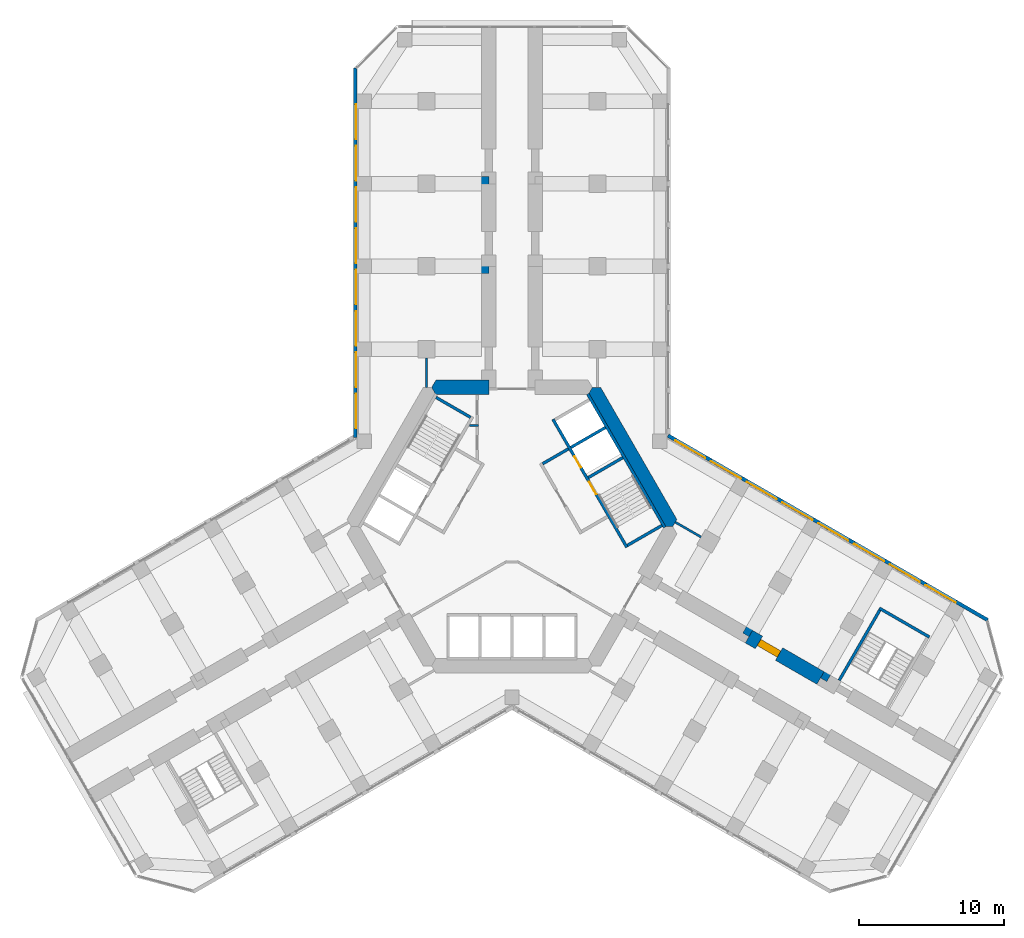
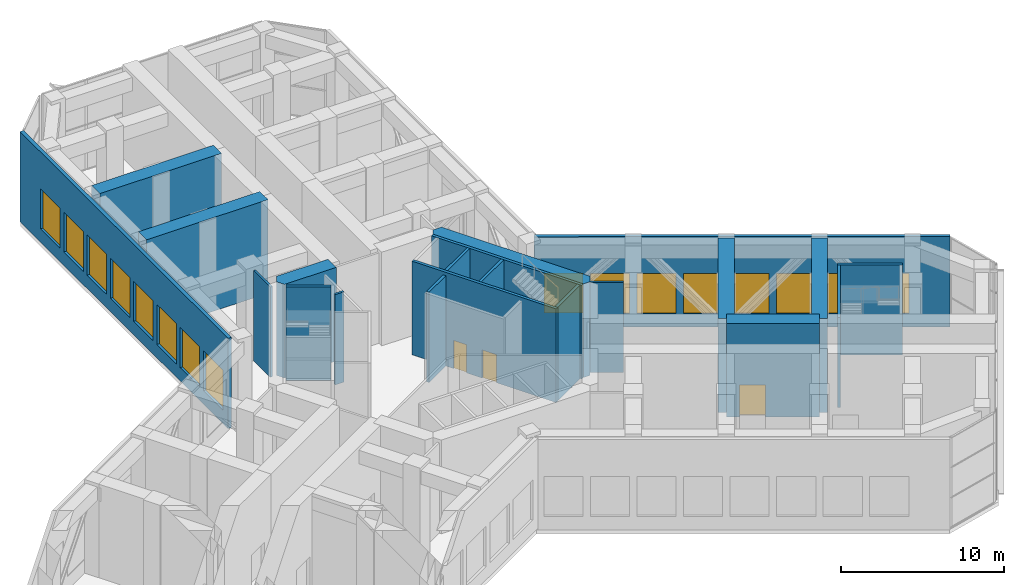
# One storey, part 13 of 17: 21 walls, 16 windows, 3 doors, 19 openings.
"""IFC4 building model written with IfcOpenShell, lengths in metres."""

import ifcopenshell
import ifcopenshell.guid

model = None  # the IFC model being written
_history = None  # IfcOwnerHistory: only IFC2X3 demands one
_inside = {}  # id of a spatial element -> (the spatial element, [elements in it])
_under = {}  # id of a project, library or spatial element -> (it, [spatial elements below it])
_declared = {}  # id of a project -> (the project, [libraries it declares])
_typed = {}  # id of a type object -> (the type object, [elements of that type])
_made_of = {}  # id of a material, layer set ... -> (it, [elements and type objects made of it])


def new_model(schema):
    """Start an empty IFC model of exactly this schema.

    Asked for "IFC4X3", IfcOpenShell would pick the latest addendum, in which some entities
    have other attributes; the version numbers below select the first issue.
    IFC2X3 requires an IfcOwnerHistory on every rooted entity: one is made here for all.
    """
    global model, _history
    if schema == "IFC4X3":
        model = ifcopenshell.file(schema_version=(4, 3, 0, 0))
    else:
        model = ifcopenshell.file(schema=schema)
    _inside.clear()
    _under.clear()
    _declared.clear()
    _typed.clear()
    _made_of.clear()
    _history = None
    if model.schema == "IFC2X3":
        org = make("IfcOrganization", Name="unknown")
        user = make(
            "IfcPersonAndOrganization",
            ThePerson=make("IfcPerson", FamilyName="unknown"),
            TheOrganization=org,
        )
        app = make(
            "IfcApplication",
            ApplicationDeveloper=org,
            Version="unknown",
            ApplicationFullName="unknown",
            ApplicationIdentifier="unknown",
        )
        _history = make(
            "IfcOwnerHistory",
            OwningUser=user,
            OwningApplication=app,
            ChangeAction="ADDED",
            CreationDate=0,
        )
    return model


def make(cls, **values):
    """One entity of the class cls with the attributes given. An attribute that is None is left unset."""
    return model.create_entity(
        cls, **{name: value for name, value in values.items() if value is not None}
    )


def rooted(cls, **values):
    """An entity with a GlobalId (a new one), such as an element, a storey or a relation."""
    return make(cls, GlobalId=ifcopenshell.guid.new(), OwnerHistory=_history, **values)


def si_unit(unit_type, name, prefix=None):
    """IfcSIUnit, for example si_unit("LENGTHUNIT", "METRE", prefix="MILLI")."""
    return make("IfcSIUnit", UnitType=unit_type, Prefix=prefix, Name=name)


def assignment(units):
    """IfcUnitAssignment: the units of a project."""
    return None if units is None else make("IfcUnitAssignment", Units=units)


def point(xyz):
    """IfcCartesianPoint."""
    return None if xyz is None else make("IfcCartesianPoint", Coordinates=xyz)


def direction(xyz):
    """IfcDirection."""
    return None if xyz is None else make("IfcDirection", DirectionRatios=xyz)


def frame(location, z_axis=None, x_axis=None):
    """IfcAxis2Placement3D, a coordinate frame: its origin and axes. An axis left out is left unset."""
    return make(
        "IfcAxis2Placement3D",
        Location=point(location),
        Axis=direction(z_axis),
        RefDirection=direction(x_axis),
    )


def frame_2d(location, x_axis=None):
    """IfcAxis2Placement2D, a coordinate frame in the plane: its origin and x axis."""
    return make(
        "IfcAxis2Placement2D", Location=point(location), RefDirection=direction(x_axis)
    )


def origin():
    """The frame at (0, 0, 0) with its axes left unset."""
    return frame((0.0, 0.0, 0.0))


def place(relative_to, where):
    """IfcLocalPlacement: puts the frame where relative to a parent placement (None: the world)."""
    return make(
        "IfcLocalPlacement", PlacementRelTo=relative_to, RelativePlacement=where
    )


def context(
    kind, dimensions, precision=None, world=None, true_north=None, identifier=None
):
    """IfcGeometricRepresentationContext, for example the 3D "Model" context."""
    return make(
        "IfcGeometricRepresentationContext",
        ContextIdentifier=identifier,
        ContextType=kind,
        CoordinateSpaceDimension=dimensions,
        Precision=precision,
        WorldCoordinateSystem=world,
        TrueNorth=true_north,
    )


def subcontext(parent, identifier, kind, view, scale=None):
    """IfcGeometricRepresentationSubContext, for example "Body" below "Model"."""
    return make(
        "IfcGeometricRepresentationSubContext",
        ContextIdentifier=identifier,
        ContextType=kind,
        ParentContext=parent,
        TargetScale=scale,
        TargetView=view,
    )


def project(units=None, contexts=None):
    """IfcProject with its units and contexts."""
    return rooted(
        "IfcProject",
        Name="project",
        RepresentationContexts=contexts,
        UnitsInContext=assignment(units),
    )


def spatial(cls, under=None, at=None, **own):
    """A site, building, storey or space (cls), placed at a placement, below another one or the project."""
    s = rooted(cls, ObjectPlacement=at, **own)
    if under is not None:
        _under.setdefault(under.id(), (under, []))[1].append(s)
    return s


def polyline(points):
    """IfcPolyline through the points."""
    return make("IfcPolyline", Points=[point(p) for p in points])


def profile(cls, at=None, kind="AREA", **sizes):
    """A parametric profile (cls). Its sizes go by their IFC names, for example OverallWidth=200.0."""
    return make(cls, ProfileType=kind, Position=at, **sizes)


def rectangle(**sizes):
    """IfcRectangleProfileDef."""
    return profile("IfcRectangleProfileDef", **sizes)


def outline(outer, holes=None, kind="AREA"):
    """IfcArbitraryClosedProfileDef: a profile drawn as a closed curve; with holes, ...WithVoids."""
    if holes is None:
        return make("IfcArbitraryClosedProfileDef", ProfileType=kind, OuterCurve=outer)
    return make(
        "IfcArbitraryProfileDefWithVoids",
        ProfileType=kind,
        OuterCurve=outer,
        InnerCurves=holes,
    )


def extrude(swept, where, along, depth):
    """IfcExtrudedAreaSolid: the profile swept, set in the frame where, extruded along a direction by depth."""
    return make(
        "IfcExtrudedAreaSolid",
        SweptArea=swept,
        Position=where,
        ExtrudedDirection=direction(along),
        Depth=depth,
    )


def shape(context_of_items, identifier, shape_type, items):
    """IfcShapeRepresentation: the items that make up one representation, for example the "Body"."""
    return make(
        "IfcShapeRepresentation",
        ContextOfItems=context_of_items,
        RepresentationIdentifier=identifier,
        RepresentationType=shape_type,
        Items=items,
    )


def material(Name=None, Category=None):
    """IfcMaterial."""
    return make("IfcMaterial", Name=Name, Category=Category)


def layer(
    of_material, thickness, ventilated=None, Name=None, Category=None, Priority=None
):
    """IfcMaterialLayer: one layer of a wall or slab, of a material (None: an air gap)."""
    return make(
        "IfcMaterialLayer",
        Material=of_material,
        LayerThickness=thickness,
        IsVentilated=ventilated,
        Name=Name,
        Category=Category,
        Priority=Priority,
    )


def layer_set(layers, Name=None):
    """IfcMaterialLayerSet."""
    return make("IfcMaterialLayerSet", MaterialLayers=layers, LayerSetName=Name)


def made_of(thing, what):
    """Note that an element or type object is made of a material, layer set ...; save() writes the relation."""
    if what is not None:
        _made_of.setdefault(what.id(), (what, []))[1].append(thing)
    return thing


def type_object(cls, material=None, **own):
    """A type object (cls), such as IfcWallType, which elements share."""
    return made_of(rooted(cls, **own), material)


def element(
    cls,
    number,
    at=None,
    inside=None,
    cuts=None,
    type_object=None,
    material=None,
    context=None,
    identifier="Body",
    shape_type=None,
    held_by="IfcProductDefinitionShape",
    body=None,
    shapes=None,
    **own,
):
    """One element of the class cls, such as IfcWall. Its Tag is "e" and its number.

    at: its placement. inside: the storey or other place that contains it. cuts: it is an
    opening in that element (IfcRelVoidsElement). A single representation is given by context,
    identifier, shape_type and body (its items); several are given by shapes. held_by: the class
    of the entity that holds the representations. save() writes the other relations.
    """
    e = rooted(cls, Tag="e%d" % number, ObjectPlacement=at, **own)
    if body is not None:
        shapes = [shape(context, identifier, shape_type, body)]
    if shapes is not None:
        e.Representation = make(held_by, Representations=shapes)
    if inside is not None:
        _inside.setdefault(inside.id(), (inside, []))[1].append(e)
    if cuts is not None:
        rooted(
            "IfcRelVoidsElement", RelatingBuildingElement=cuts, RelatedOpeningElement=e
        )
    if type_object is not None:
        _typed.setdefault(type_object.id(), (type_object, []))[1].append(e)
    return made_of(e, material)


def fill(opening, filler):
    """IfcRelFillsElement: the door or window that sits in an opening."""
    return rooted(
        "IfcRelFillsElement",
        RelatingOpeningElement=opening,
        RelatedBuildingElement=filler,
    )


def aggregate(whole, parts):
    """IfcRelAggregates: a whole, such as a stair, and the parts it consists of."""
    return rooted("IfcRelAggregates", RelatingObject=whole, RelatedObjects=parts)


def save(model, path):
    """Write the relations noted so far, then the file.

    IfcRelAggregates (storeys below a building ...), IfcRelContainedInSpatialStructure (elements
    in a storey), IfcRelDefinesByType, IfcRelAssociatesMaterial and IfcRelDeclares: one each for
    every whole, place, type object, material and project.
    """
    for whole, parts in _under.values():
        aggregate(whole, parts)
    for where, things in _inside.values():
        rooted(
            "IfcRelContainedInSpatialStructure",
            RelatedElements=things,
            RelatingStructure=where,
        )
    for kind, things in _typed.values():
        rooted("IfcRelDefinesByType", RelatedObjects=things, RelatingType=kind)
    for what, things in _made_of.values():
        rooted("IfcRelAssociatesMaterial", RelatedObjects=things, RelatingMaterial=what)
    for by, libraries in _declared.values():
        rooted("IfcRelDeclares", RelatingContext=by, RelatedDefinitions=libraries)
    model.write(path)


model = new_model("IFC4")

# Units and contexts
model_context = context("Model", 3, precision=1e-05, world=origin(), true_north=direction((0.0, 1.0)))
body_context = subcontext(model_context, "Body", "Model", "MODEL_VIEW")
ifc_project = project(units=[si_unit("LENGTHUNIT", "METRE"), si_unit("AREAUNIT", "SQUARE_METRE"), si_unit("VOLUMEUNIT", "CUBIC_METRE"), si_unit("PLANEANGLEUNIT", "RADIAN"), si_unit("MASSUNIT", "GRAM", prefix="KILO")], contexts=[model_context])

# Site, building, storey
site_placement = place(None, origin())
site = spatial("IfcSite", under=ifc_project, at=site_placement, CompositionType="ELEMENT")
building_placement = place(site_placement, origin())
building = spatial("IfcBuilding", under=site, at=building_placement, Name="Kosmar Iwan School Tower", CompositionType="ELEMENT")
storey_placement = place(building_placement, frame((0.0, 0.0, 113.199951171875)))
storey = spatial("IfcBuildingStorey", under=building, at=storey_placement, Name="L28", CompositionType="ELEMENT", Elevation=113.199951171875)

# Walls
ifc_material_1 = material(Name="Gypsum board on steel studs, fire-rated", Category="steel")
ifc_layer_1 = layer(ifc_material_1, 0.14990234375)
ifc_layer_set_1 = layer_set([ifc_layer_1], Name="Core room partition 150")
wall_type_1 = type_object("IfcWallType", Name="Core room partition 150", PredefinedType="PARTITIONING", material=ifc_layer_set_1)
wall_1_placement = place(storey_placement, frame((-2.324951171875, 6.985107421875, 0.0), z_axis=(0.0, 0.0, 1.0), x_axis=(-1.0, 0.0, 0.0)))
element("IfcWall", 1, at=wall_1_placement, inside=storey, type_object=wall_type_1, Name="Core room partition L28-CW2", PredefinedType="PARTITIONING", context=body_context, shape_type="SweptSolid", body=[
    extrude(rectangle(XDim=0.623779296875, YDim=0.14990234375, at=frame_2d((0.31201171875, 0.0))), origin(), (0.0, 0.0, 1.0), 6.75),
])
ifc_material_2 = material(Name="Concrete C50/60", Category="concrete")
ifc_layer_2 = layer(ifc_material_2, 1.0)
ifc_layer_set_2 = layer_set([ifc_layer_2], Name="Core wall 1000")
wall_type_2 = type_object("IfcWallType", Name="Core wall 1000", PredefinedType="SHEAR", material=ifc_layer_set_2)
wall_2_placement = place(storey_placement, origin())
element("IfcWall", 2, at=wall_2_placement, inside=storey, type_object=wall_type_2, Name="Core wall F030", PredefinedType="SHEAR", context=body_context, shape_type="SweptSolid", body=[
    extrude(outline(polyline([(10.5078125, 0.0), (11.085205078125, 0.0), (11.373779296875, 0.5), (6.119873046875, 9.60009765625), (5.54248046875, 9.60009765625), (5.25390625, 9.10009765625), (10.5078125, 0.0)])), origin(), (0.0, 0.0, 1.0), 7.0),
])
wall_3_placement = place(storey_placement, origin())
element("IfcWall", 3, at=wall_3_placement, inside=storey, type_object=wall_type_2, Name="Core wall F090b", PredefinedType="SHEAR", context=body_context, shape_type="SweptSolid", body=[
    extrude(outline(polyline([(-5.25390625, 9.10009765625), (-1.60009765625, 9.10009765625), (-1.60009765625, 10.10009765625), (-5.25390625, 10.10009765625), (-5.54248046875, 9.60009765625), (-5.25390625, 9.10009765625)])), origin(), (0.0, 0.0, 1.0), 7.0),
])

# Wall, opening, door
ifc_material_3 = material(Name="Concrete C50/60", Category="concrete")
ifc_layer_3 = layer(ifc_material_3, 1.0)
ifc_layer_set_3 = layer_set([ifc_layer_3], Name="Corridor buttress wall 1000")
wall_type_3 = type_object("IfcWallType", Name="Corridor buttress wall 1000", PredefinedType="SHEAR", material=ifc_layer_set_3)
wall_4_placement = place(storey_placement, frame((16.34521484375, -7.58935546875, 0.0), z_axis=(0.0, 0.0, 1.0), x_axis=(0.866015111908, -0.50001782563, 0.0)))
wall_4 = element("IfcWall", 4, at=wall_4_placement, inside=storey, type_object=wall_type_3, Name="Corridor wall CL bay 2", PredefinedType="SHEAR", context=body_context, shape_type="SweptSolid", body=[
    extrude(rectangle(XDim=5.699951171875, YDim=1.0, at=frame_2d((2.85009765625, 0.0))), origin(), (0.0, 0.0, 1.0), 7.0),
])
opening_1_placement = place(wall_4_placement, frame((0.800048828125, 0.0, 0.0)))
opening_1 = element("IfcOpeningElement", 5, at=opening_1_placement, cuts=wall_4, Name="Opening D5", PredefinedType="OPENING", context=body_context, shape_type="SweptSolid", body=[
    extrude(rectangle(XDim=1.60009765625, YDim=2.39990234375, at=frame_2d((0.800048828125, 1.199951171875))), frame((0.0, 0.511962890625, 0.0), z_axis=(0.0, -1.0, 0.0), x_axis=(1.0, 0.0, 0.0)), (0.0, 0.0, 1.0), 1.02392578125),
])
ifc_material_4 = material(Name="Steel fire door", Category="steel")
door_type_1 = type_object("IfcDoorType", Name="Plant room door pair 1600x2400", OperationType="DOUBLE_DOOR_SINGLE_SWING", PredefinedType="DOOR", material=ifc_material_4)
door_1_placement = place(opening_1_placement, origin())
door_1 = element("IfcDoor", 6, at=door_1_placement, inside=storey, type_object=door_type_1, Name="Electrical switch room door L28-CL2", OperationType="DOUBLE_DOOR_SINGLE_SWING", OverallHeight=2.39990234375, OverallWidth=1.60009765625, PredefinedType="DOOR", context=body_context, shape_type="SweptSolid", body=[
    extrude(rectangle(XDim=1.60009765625, YDim=2.39990234375, at=frame_2d((0.800048828125, 1.199951171875))), frame((0.0, 0.25, 0.0), z_axis=(0.0, -1.0, 0.0), x_axis=(1.0, 0.0, 0.0)), (0.0, 0.0, 1.0), 0.5),
])
fill(opening_1, door_1)

# Walls
ifc_material_5 = material(Name="Concrete C35/45", Category="concrete")
ifc_layer_4 = layer(ifc_material_5, 0.199951171875)
ifc_layer_set_4 = layer_set([ifc_layer_4], Name="Escape stair wall 200")
wall_type_4 = type_object("IfcWallType", Name="Escape stair wall 200", PredefinedType="SHEAR", material=ifc_layer_set_4)
wall_5_placement = place(storey_placement, frame((22.57080078125, -10.6064453125, 0.0), z_axis=(0.0, 0.0, 1.0), x_axis=(0.499987231761, 0.866032775405, 0.0)))
element("IfcWall", 7, at=wall_5_placement, inside=storey, type_object=wall_type_4, Name="Stair WS3 wall", PredefinedType="SHEAR", context=body_context, shape_type="SweptSolid", body=[
    extrude(rectangle(XDim=5.800048828125, YDim=0.199951171875, at=frame_2d((2.89990234375, 0.0))), origin(), (0.0, 0.0, 1.0), 6.72998046875),
])
wall_6_placement = place(storey_placement, frame((25.334228515625, -5.6201171875, 0.0), z_axis=(0.0, 0.0, 1.0), x_axis=(0.866026010844, -0.49999894854, 0.0)))
element("IfcWall", 8, at=wall_6_placement, inside=storey, type_object=wall_type_4, Name="Stair WS3 wall", PredefinedType="SHEAR", context=body_context, shape_type="SweptSolid", body=[
    extrude(rectangle(XDim=4.0, YDim=0.199951171875, at=frame_2d((2.0, 0.0))), origin(), (0.0, 0.0, 1.0), 6.72998046875),
])

# Wall, openings, windows
ifc_material_6 = material(Name="Black aluminium rainscreen on insulated framing", Category="aluminium")
ifc_layer_5 = layer(ifc_material_6, 0.25)
ifc_layer_set_5 = layer_set([ifc_layer_5], Name="External wall rainscreen 250")
wall_type_5 = type_object("IfcWallType", Name="External wall rainscreen 250", PredefinedType="SOLIDWALL", material=ifc_layer_set_5)
wall_7_placement = place(storey_placement, frame((10.762451171875, 6.285888671875, 0.0), z_axis=(0.0, 0.0, 1.0), x_axis=(0.866027962024, -0.499995568972, 0.0)))
wall_7 = element("IfcWall", 9, at=wall_7_placement, inside=storey, type_object=wall_type_5, Name="External wall CL L28", PredefinedType="SOLIDWALL", context=body_context, shape_type="SweptSolid", body=[
    extrude(rectangle(XDim=25.457763671875, YDim=0.25, at=frame_2d((12.72900390625, 0.0))), origin(), (0.0, 0.0, 1.0), 6.75),
])
opening_2_placement = place(wall_7_placement, frame((0.597412109375, 0.0, 1.0)))
opening_2 = element("IfcOpeningElement", 10, at=opening_2_placement, cuts=wall_7, Name="Opening LV1", PredefinedType="OPENING", context=body_context, shape_type="SweptSolid", body=[
    extrude(rectangle(XDim=2.39990234375, YDim=3.0, at=frame_2d((1.199951171875, 1.5))), frame((0.0, 0.136962890625, 0.0), z_axis=(0.0, -1.0, 0.0), x_axis=(1.0, 0.0, 0.0)), (0.0, 0.0, 1.0), 0.27392578125),
])
opening_3_placement = place(wall_7_placement, frame((3.447265625, 0.0, 1.0)))
opening_3 = element("IfcOpeningElement", 11, at=opening_3_placement, cuts=wall_7, Name="Opening LV1", PredefinedType="OPENING", context=body_context, shape_type="SweptSolid", body=[
    extrude(rectangle(XDim=2.39990234375, YDim=3.0, at=frame_2d((1.199951171875, 1.5))), frame((0.0, 0.136962890625, 0.0), z_axis=(0.0, -1.0, 0.0), x_axis=(1.0, 0.0, 0.0)), (0.0, 0.0, 1.0), 0.27392578125),
])
opening_4_placement = place(wall_7_placement, frame((6.29736328125, 0.0, 1.0)))
opening_4 = element("IfcOpeningElement", 12, at=opening_4_placement, cuts=wall_7, Name="Opening LV1", PredefinedType="OPENING", context=body_context, shape_type="SweptSolid", body=[
    extrude(rectangle(XDim=2.39990234375, YDim=3.0, at=frame_2d((1.199951171875, 1.5))), frame((0.0, 0.136962890625, 0.0), z_axis=(0.0, -1.0, 0.0), x_axis=(1.0, 0.0, 0.0)), (0.0, 0.0, 1.0), 0.27392578125),
])
opening_5_placement = place(wall_7_placement, frame((9.1474609375, 0.0, 1.0)))
opening_5 = element("IfcOpeningElement", 13, at=opening_5_placement, cuts=wall_7, Name="Opening LV1", PredefinedType="OPENING", context=body_context, shape_type="SweptSolid", body=[
    extrude(rectangle(XDim=2.39990234375, YDim=3.0, at=frame_2d((1.199951171875, 1.5))), frame((0.0, 0.136962890625, 0.0), z_axis=(0.0, -1.0, 0.0), x_axis=(1.0, 0.0, 0.0)), (0.0, 0.0, 1.0), 0.27392578125),
])
opening_6_placement = place(wall_7_placement, frame((11.997314453125, 0.0, 1.0)))
opening_6 = element("IfcOpeningElement", 14, at=opening_6_placement, cuts=wall_7, Name="Opening LV1", PredefinedType="OPENING", context=body_context, shape_type="SweptSolid", body=[
    extrude(rectangle(XDim=2.39990234375, YDim=3.0, at=frame_2d((1.199951171875, 1.5))), frame((0.0, 0.136962890625, 0.0), z_axis=(0.0, -1.0, 0.0), x_axis=(1.0, 0.0, 0.0)), (0.0, 0.0, 1.0), 0.27392578125),
])
opening_7_placement = place(wall_7_placement, frame((14.847412109375, 0.0, 1.0)))
opening_7 = element("IfcOpeningElement", 15, at=opening_7_placement, cuts=wall_7, Name="Opening LV1", PredefinedType="OPENING", context=body_context, shape_type="SweptSolid", body=[
    extrude(rectangle(XDim=2.39990234375, YDim=3.0, at=frame_2d((1.199951171875, 1.5))), frame((0.0, 0.136962890625, 0.0), z_axis=(0.0, -1.0, 0.0), x_axis=(1.0, 0.0, 0.0)), (0.0, 0.0, 1.0), 0.27392578125),
])
opening_8_placement = place(wall_7_placement, frame((17.697265625, 0.0, 1.0)))
opening_8 = element("IfcOpeningElement", 16, at=opening_8_placement, cuts=wall_7, Name="Opening LV1", PredefinedType="OPENING", context=body_context, shape_type="SweptSolid", body=[
    extrude(rectangle(XDim=2.39990234375, YDim=3.0, at=frame_2d((1.199951171875, 1.5))), frame((0.0, 0.136962890625, 0.0), z_axis=(0.0, -1.0, 0.0), x_axis=(1.0, 0.0, 0.0)), (0.0, 0.0, 1.0), 0.27392578125),
])
opening_9_placement = place(wall_7_placement, frame((20.54736328125, 0.0, 1.0)))
opening_9 = element("IfcOpeningElement", 17, at=opening_9_placement, cuts=wall_7, Name="Opening LV1", PredefinedType="OPENING", context=body_context, shape_type="SweptSolid", body=[
    extrude(rectangle(XDim=2.39990234375, YDim=3.0, at=frame_2d((1.199951171875, 1.5))), frame((0.0, 0.136962890625, 0.0), z_axis=(0.0, -1.0, 0.0), x_axis=(1.0, 0.0, 0.0)), (0.0, 0.0, 1.0), 0.27392578125),
])
ifc_material_7 = material(Name="Black aluminium louvre", Category="aluminium")
window_type = type_object("IfcWindowType", Name="Plant louvre 2400x3000", PartitioningType="SINGLE_PANEL", PredefinedType="USERDEFINED", material=ifc_material_7)
window_1_placement = place(opening_2_placement, origin())
window_1 = element("IfcWindow", 18, at=window_1_placement, inside=storey, type_object=window_type, Name="Window CL L28 -1", ObjectType="LOUVRE", OverallHeight=3.0, OverallWidth=2.39990234375, PartitioningType="SINGLE_PANEL", PredefinedType="USERDEFINED", context=body_context, shape_type="SweptSolid", body=[
    extrude(rectangle(XDim=2.39990234375, YDim=3.0, at=frame_2d((1.199951171875, 1.5))), frame((0.0, -0.050048828125, 0.0), z_axis=(0.0, -1.0, 0.0), x_axis=(1.0, 0.0, 0.0)), (0.0, 0.0, 1.0), 0.02001953125),
])
fill(opening_2, window_1)
window_2_placement = place(opening_3_placement, origin())
window_2 = element("IfcWindow", 19, at=window_2_placement, inside=storey, type_object=window_type, Name="Window CL L28 0", ObjectType="LOUVRE", OverallHeight=3.0, OverallWidth=2.39990234375, PartitioningType="SINGLE_PANEL", PredefinedType="USERDEFINED", context=body_context, shape_type="SweptSolid", body=[
    extrude(rectangle(XDim=2.39990234375, YDim=3.0, at=frame_2d((1.199951171875, 1.5))), frame((0.0, -0.050048828125, 0.0), z_axis=(0.0, -1.0, 0.0), x_axis=(1.0, 0.0, 0.0)), (0.0, 0.0, 1.0), 0.02001953125),
])
fill(opening_3, window_2)
window_3_placement = place(opening_4_placement, origin())
window_3 = element("IfcWindow", 20, at=window_3_placement, inside=storey, type_object=window_type, Name="Window CL L28 1", ObjectType="LOUVRE", OverallHeight=3.0, OverallWidth=2.39990234375, PartitioningType="SINGLE_PANEL", PredefinedType="USERDEFINED", context=body_context, shape_type="SweptSolid", body=[
    extrude(rectangle(XDim=2.39990234375, YDim=3.0, at=frame_2d((1.199951171875, 1.5))), frame((0.0, -0.050048828125, 0.0), z_axis=(0.0, -1.0, 0.0), x_axis=(1.0, 0.0, 0.0)), (0.0, 0.0, 1.0), 0.02001953125),
])
fill(opening_4, window_3)
window_4_placement = place(opening_5_placement, origin())
window_4 = element("IfcWindow", 21, at=window_4_placement, inside=storey, type_object=window_type, Name="Window CL L28 2", ObjectType="LOUVRE", OverallHeight=3.0, OverallWidth=2.39990234375, PartitioningType="SINGLE_PANEL", PredefinedType="USERDEFINED", context=body_context, shape_type="SweptSolid", body=[
    extrude(rectangle(XDim=2.39990234375, YDim=3.0, at=frame_2d((1.199951171875, 1.5))), frame((0.0, -0.050048828125, 0.0), z_axis=(0.0, -1.0, 0.0), x_axis=(1.0, 0.0, 0.0)), (0.0, 0.0, 1.0), 0.02001953125),
])
fill(opening_5, window_4)
window_5_placement = place(opening_6_placement, origin())
window_5 = element("IfcWindow", 22, at=window_5_placement, inside=storey, type_object=window_type, Name="Window CL L28 3", ObjectType="LOUVRE", OverallHeight=3.0, OverallWidth=2.39990234375, PartitioningType="SINGLE_PANEL", PredefinedType="USERDEFINED", context=body_context, shape_type="SweptSolid", body=[
    extrude(rectangle(XDim=2.39990234375, YDim=3.0, at=frame_2d((1.199951171875, 1.5))), frame((0.0, -0.050048828125, 0.0), z_axis=(0.0, -1.0, 0.0), x_axis=(1.0, 0.0, 0.0)), (0.0, 0.0, 1.0), 0.02001953125),
])
fill(opening_6, window_5)
window_6_placement = place(opening_7_placement, origin())
window_6 = element("IfcWindow", 23, at=window_6_placement, inside=storey, type_object=window_type, Name="Window CL L28 4", ObjectType="LOUVRE", OverallHeight=3.0, OverallWidth=2.39990234375, PartitioningType="SINGLE_PANEL", PredefinedType="USERDEFINED", context=body_context, shape_type="SweptSolid", body=[
    extrude(rectangle(XDim=2.39990234375, YDim=3.0, at=frame_2d((1.199951171875, 1.5))), frame((0.0, -0.050048828125, 0.0), z_axis=(0.0, -1.0, 0.0), x_axis=(1.0, 0.0, 0.0)), (0.0, 0.0, 1.0), 0.02001953125),
])
fill(opening_7, window_6)
window_7_placement = place(opening_8_placement, origin())
window_7 = element("IfcWindow", 24, at=window_7_placement, inside=storey, type_object=window_type, Name="Window CL L28 5", ObjectType="LOUVRE", OverallHeight=3.0, OverallWidth=2.39990234375, PartitioningType="SINGLE_PANEL", PredefinedType="USERDEFINED", context=body_context, shape_type="SweptSolid", body=[
    extrude(rectangle(XDim=2.39990234375, YDim=3.0, at=frame_2d((1.199951171875, 1.5))), frame((0.0, -0.050048828125, 0.0), z_axis=(0.0, -1.0, 0.0), x_axis=(1.0, 0.0, 0.0)), (0.0, 0.0, 1.0), 0.02001953125),
])
fill(opening_8, window_7)
window_8_placement = place(opening_9_placement, origin())
window_8 = element("IfcWindow", 25, at=window_8_placement, inside=storey, type_object=window_type, Name="Window CL L28 6", ObjectType="LOUVRE", OverallHeight=3.0, OverallWidth=2.39990234375, PartitioningType="SINGLE_PANEL", PredefinedType="USERDEFINED", context=body_context, shape_type="SweptSolid", body=[
    extrude(rectangle(XDim=2.39990234375, YDim=3.0, at=frame_2d((1.199951171875, 1.5))), frame((0.0, -0.050048828125, 0.0), z_axis=(0.0, -1.0, 0.0), x_axis=(1.0, 0.0, 0.0)), (0.0, 0.0, 1.0), 0.02001953125),
])
fill(opening_9, window_8)

wall_8_placement = place(storey_placement, frame((-10.824951171875, 6.14794921875, 0.0), z_axis=(0.0, 0.0, 1.0), x_axis=(0.0, 1.0, 0.0)))
wall_8 = element("IfcWall", 26, at=wall_8_placement, inside=storey, type_object=wall_type_5, Name="External wall AL L28", PredefinedType="SOLIDWALL", context=body_context, shape_type="SweptSolid", body=[
    extrude(rectangle(XDim=25.4873046875, YDim=0.25, at=frame_2d((12.74365234375, 0.0))), origin(), (0.0, 0.0, 1.0), 6.75),
])
opening_10_placement = place(wall_8_placement, frame((0.626953125, 0.0, 1.0)))
opening_10 = element("IfcOpeningElement", 27, at=opening_10_placement, cuts=wall_8, Name="Opening LV1", PredefinedType="OPENING", context=body_context, shape_type="SweptSolid", body=[
    extrude(rectangle(XDim=2.39990234375, YDim=3.0, at=frame_2d((1.199951171875, 1.5))), frame((0.0, 0.136962890625, 0.0), z_axis=(0.0, -1.0, 0.0), x_axis=(1.0, 0.0, 0.0)), (0.0, 0.0, 1.0), 0.27392578125),
])
opening_11_placement = place(wall_8_placement, frame((3.47705078125, 0.0, 1.0)))
opening_11 = element("IfcOpeningElement", 28, at=opening_11_placement, cuts=wall_8, Name="Opening LV1", PredefinedType="OPENING", context=body_context, shape_type="SweptSolid", body=[
    extrude(rectangle(XDim=2.39990234375, YDim=3.0, at=frame_2d((1.199951171875, 1.5))), frame((0.0, 0.136962890625, 0.0), z_axis=(0.0, -1.0, 0.0), x_axis=(1.0, 0.0, 0.0)), (0.0, 0.0, 1.0), 0.27392578125),
])
opening_12_placement = place(wall_8_placement, frame((6.326904296875, 0.0, 1.0)))
opening_12 = element("IfcOpeningElement", 29, at=opening_12_placement, cuts=wall_8, Name="Opening LV1", PredefinedType="OPENING", context=body_context, shape_type="SweptSolid", body=[
    extrude(rectangle(XDim=2.39990234375, YDim=3.0, at=frame_2d((1.199951171875, 1.5))), frame((0.0, 0.136962890625, 0.0), z_axis=(0.0, -1.0, 0.0), x_axis=(1.0, 0.0, 0.0)), (0.0, 0.0, 1.0), 0.27392578125),
])
opening_13_placement = place(wall_8_placement, frame((9.177001953125, 0.0, 1.0)))
opening_13 = element("IfcOpeningElement", 30, at=opening_13_placement, cuts=wall_8, Name="Opening LV1", PredefinedType="OPENING", context=body_context, shape_type="SweptSolid", body=[
    extrude(rectangle(XDim=2.39990234375, YDim=3.0, at=frame_2d((1.199951171875, 1.5))), frame((0.0, 0.136962890625, 0.0), z_axis=(0.0, -1.0, 0.0), x_axis=(1.0, 0.0, 0.0)), (0.0, 0.0, 1.0), 0.27392578125),
])
opening_14_placement = place(wall_8_placement, frame((12.027099609375, 0.0, 1.0)))
opening_14 = element("IfcOpeningElement", 31, at=opening_14_placement, cuts=wall_8, Name="Opening LV1", PredefinedType="OPENING", context=body_context, shape_type="SweptSolid", body=[
    extrude(rectangle(XDim=2.39990234375, YDim=3.0, at=frame_2d((1.199951171875, 1.5))), frame((0.0, 0.136962890625, 0.0), z_axis=(0.0, -1.0, 0.0), x_axis=(1.0, 0.0, 0.0)), (0.0, 0.0, 1.0), 0.27392578125),
])
opening_15_placement = place(wall_8_placement, frame((14.876953125, 0.0, 1.0)))
opening_15 = element("IfcOpeningElement", 32, at=opening_15_placement, cuts=wall_8, Name="Opening LV1", PredefinedType="OPENING", context=body_context, shape_type="SweptSolid", body=[
    extrude(rectangle(XDim=2.39990234375, YDim=3.0, at=frame_2d((1.199951171875, 1.5))), frame((0.0, 0.136962890625, 0.0), z_axis=(0.0, -1.0, 0.0), x_axis=(1.0, 0.0, 0.0)), (0.0, 0.0, 1.0), 0.27392578125),
])
opening_16_placement = place(wall_8_placement, frame((17.72705078125, 0.0, 1.0)))
opening_16 = element("IfcOpeningElement", 33, at=opening_16_placement, cuts=wall_8, Name="Opening LV1", PredefinedType="OPENING", context=body_context, shape_type="SweptSolid", body=[
    extrude(rectangle(XDim=2.39990234375, YDim=3.0, at=frame_2d((1.199951171875, 1.5))), frame((0.0, 0.136962890625, 0.0), z_axis=(0.0, -1.0, 0.0), x_axis=(1.0, 0.0, 0.0)), (0.0, 0.0, 1.0), 0.27392578125),
])
opening_17_placement = place(wall_8_placement, frame((20.576904296875, 0.0, 1.0)))
opening_17 = element("IfcOpeningElement", 34, at=opening_17_placement, cuts=wall_8, Name="Opening LV1", PredefinedType="OPENING", context=body_context, shape_type="SweptSolid", body=[
    extrude(rectangle(XDim=2.39990234375, YDim=3.0, at=frame_2d((1.199951171875, 1.5))), frame((0.0, 0.136962890625, 0.0), z_axis=(0.0, -1.0, 0.0), x_axis=(1.0, 0.0, 0.0)), (0.0, 0.0, 1.0), 0.27392578125),
])
window_9_placement = place(opening_10_placement, origin())
window_9 = element("IfcWindow", 35, at=window_9_placement, inside=storey, type_object=window_type, Name="Window AL L28 -1", ObjectType="LOUVRE", OverallHeight=3.0, OverallWidth=2.39990234375, PartitioningType="SINGLE_PANEL", PredefinedType="USERDEFINED", context=body_context, shape_type="SweptSolid", body=[
    extrude(rectangle(XDim=2.39990234375, YDim=3.0, at=frame_2d((1.199951171875, 1.5))), frame((0.0, -0.050048828125, 0.0), z_axis=(0.0, -1.0, 0.0), x_axis=(1.0, 0.0, 0.0)), (0.0, 0.0, 1.0), 0.02001953125),
])
fill(opening_10, window_9)
window_10_placement = place(opening_11_placement, origin())
window_10 = element("IfcWindow", 36, at=window_10_placement, inside=storey, type_object=window_type, Name="Window AL L28 0", ObjectType="LOUVRE", OverallHeight=3.0, OverallWidth=2.39990234375, PartitioningType="SINGLE_PANEL", PredefinedType="USERDEFINED", context=body_context, shape_type="SweptSolid", body=[
    extrude(rectangle(XDim=2.39990234375, YDim=3.0, at=frame_2d((1.199951171875, 1.5))), frame((0.0, -0.050048828125, 0.0), z_axis=(0.0, -1.0, 0.0), x_axis=(1.0, 0.0, 0.0)), (0.0, 0.0, 1.0), 0.02001953125),
])
fill(opening_11, window_10)
window_11_placement = place(opening_12_placement, origin())
window_11 = element("IfcWindow", 37, at=window_11_placement, inside=storey, type_object=window_type, Name="Window AL L28 1", ObjectType="LOUVRE", OverallHeight=3.0, OverallWidth=2.39990234375, PartitioningType="SINGLE_PANEL", PredefinedType="USERDEFINED", context=body_context, shape_type="SweptSolid", body=[
    extrude(rectangle(XDim=2.39990234375, YDim=3.0, at=frame_2d((1.199951171875, 1.5))), frame((0.0, -0.050048828125, 0.0), z_axis=(0.0, -1.0, 0.0), x_axis=(1.0, 0.0, 0.0)), (0.0, 0.0, 1.0), 0.02001953125),
])
fill(opening_12, window_11)
window_12_placement = place(opening_13_placement, origin())
window_12 = element("IfcWindow", 38, at=window_12_placement, inside=storey, type_object=window_type, Name="Window AL L28 2", ObjectType="LOUVRE", OverallHeight=3.0, OverallWidth=2.39990234375, PartitioningType="SINGLE_PANEL", PredefinedType="USERDEFINED", context=body_context, shape_type="SweptSolid", body=[
    extrude(rectangle(XDim=2.39990234375, YDim=3.0, at=frame_2d((1.199951171875, 1.5))), frame((0.0, -0.050048828125, 0.0), z_axis=(0.0, -1.0, 0.0), x_axis=(1.0, 0.0, 0.0)), (0.0, 0.0, 1.0), 0.02001953125),
])
fill(opening_13, window_12)
window_13_placement = place(opening_14_placement, origin())
window_13 = element("IfcWindow", 39, at=window_13_placement, inside=storey, type_object=window_type, Name="Window AL L28 3", ObjectType="LOUVRE", OverallHeight=3.0, OverallWidth=2.39990234375, PartitioningType="SINGLE_PANEL", PredefinedType="USERDEFINED", context=body_context, shape_type="SweptSolid", body=[
    extrude(rectangle(XDim=2.39990234375, YDim=3.0, at=frame_2d((1.199951171875, 1.5))), frame((0.0, -0.050048828125, 0.0), z_axis=(0.0, -1.0, 0.0), x_axis=(1.0, 0.0, 0.0)), (0.0, 0.0, 1.0), 0.02001953125),
])
fill(opening_14, window_13)
window_14_placement = place(opening_15_placement, origin())
window_14 = element("IfcWindow", 40, at=window_14_placement, inside=storey, type_object=window_type, Name="Window AL L28 4", ObjectType="LOUVRE", OverallHeight=3.0, OverallWidth=2.39990234375, PartitioningType="SINGLE_PANEL", PredefinedType="USERDEFINED", context=body_context, shape_type="SweptSolid", body=[
    extrude(rectangle(XDim=2.39990234375, YDim=3.0, at=frame_2d((1.199951171875, 1.5))), frame((0.0, -0.050048828125, 0.0), z_axis=(0.0, -1.0, 0.0), x_axis=(1.0, 0.0, 0.0)), (0.0, 0.0, 1.0), 0.02001953125),
])
fill(opening_15, window_14)
window_15_placement = place(opening_16_placement, origin())
window_15 = element("IfcWindow", 41, at=window_15_placement, inside=storey, type_object=window_type, Name="Window AL L28 5", ObjectType="LOUVRE", OverallHeight=3.0, OverallWidth=2.39990234375, PartitioningType="SINGLE_PANEL", PredefinedType="USERDEFINED", context=body_context, shape_type="SweptSolid", body=[
    extrude(rectangle(XDim=2.39990234375, YDim=3.0, at=frame_2d((1.199951171875, 1.5))), frame((0.0, -0.050048828125, 0.0), z_axis=(0.0, -1.0, 0.0), x_axis=(1.0, 0.0, 0.0)), (0.0, 0.0, 1.0), 0.02001953125),
])
fill(opening_16, window_15)
window_16_placement = place(opening_17_placement, origin())
window_16 = element("IfcWindow", 42, at=window_16_placement, inside=storey, type_object=window_type, Name="Window AL L28 6", ObjectType="LOUVRE", OverallHeight=3.0, OverallWidth=2.39990234375, PartitioningType="SINGLE_PANEL", PredefinedType="USERDEFINED", context=body_context, shape_type="SweptSolid", body=[
    extrude(rectangle(XDim=2.39990234375, YDim=3.0, at=frame_2d((1.199951171875, 1.5))), frame((0.0, -0.050048828125, 0.0), z_axis=(0.0, -1.0, 0.0), x_axis=(1.0, 0.0, 0.0)), (0.0, 0.0, 1.0), 0.02001953125),
])
fill(opening_17, window_16)

# Wall
ifc_material_8 = material(Name="Concrete block masonry", Category="masonry")
ifc_layer_6 = layer(ifc_material_8, 0.199951171875)
ifc_layer_set_6 = layer_set([ifc_layer_6], Name="Fire lobby wall 200")
wall_type_6 = type_object("IfcWallType", Name="Fire lobby wall 200", PredefinedType="PARTITIONING", material=ifc_layer_set_6)
wall_9_placement = place(storey_placement, frame((2.114013671875, 4.33837890625, 0.0), z_axis=(0.0, 0.0, 1.0), x_axis=(0.866050731258, 0.499956128963, 0.0)))
element("IfcWall", 43, at=wall_9_placement, inside=storey, type_object=wall_type_6, Name="Firefighting lobby wall ST1", PredefinedType="PARTITIONING", context=body_context, shape_type="SweptSolid", body=[
    extrude(rectangle(XDim=2.050048828125, YDim=0.199951171875, at=frame_2d((1.02490234375, 0.0))), origin(), (0.0, 0.0, 1.0), 6.75),
])

# Wall, openings, doors
ifc_material_9 = material(Name="Concrete C50/60", Category="concrete")
ifc_layer_7 = layer(ifc_material_9, 0.199951171875)
ifc_layer_set_7 = layer_set([ifc_layer_7], Name="Lift shaft wall 200")
wall_type_7 = type_object("IfcWallType", Name="Lift shaft wall 200", PredefinedType="SHEAR", material=ifc_layer_set_7)
wall_10_placement = place(storey_placement, frame((7.926025390625, -1.42822265625, 0.0), z_axis=(0.0, 0.0, 1.0), x_axis=(-0.499998023675, 0.866026544813, 0.0)))
wall_10 = element("IfcWall", 44, at=wall_10_placement, inside=storey, type_object=wall_type_7, Name="Lift and stair front wall AC", PredefinedType="SHEAR", context=body_context, shape_type="SweptSolid", body=[
    extrude(rectangle(XDim=10.19970703125, YDim=0.199951171875, at=frame_2d((5.099853515625, 0.0))), origin(), (0.0, 0.0, 1.0), 7.0),
])
opening_18_placement = place(wall_10_placement, frame((6.35009765625, 0.0, 0.0)))
opening_18 = element("IfcOpeningElement", 45, at=opening_18_placement, cuts=wall_10, Name="Opening LD2", PredefinedType="OPENING", context=body_context, shape_type="SweptSolid", body=[
    extrude(rectangle(XDim=0.89990234375, YDim=2.10009765625, at=frame_2d((0.449951171875, 1.050048828125))), frame((0.0, 0.112060546875, 0.0), z_axis=(0.0, -1.0, 0.0), x_axis=(1.0, 0.0, 0.0)), (0.0, 0.0, 1.0), 0.223876953125),
])
opening_19_placement = place(wall_10_placement, frame((4.22998046875, 0.0, 0.0)))
opening_19 = element("IfcOpeningElement", 46, at=opening_19_placement, cuts=wall_10, Name="Opening D6", PredefinedType="OPENING", context=body_context, shape_type="SweptSolid", body=[
    extrude(rectangle(XDim=1.0, YDim=2.10009765625, at=frame_2d((0.5, 1.050048828125))), frame((0.0, 0.112060546875, 0.0), z_axis=(0.0, -1.0, 0.0), x_axis=(1.0, 0.0, 0.0)), (0.0, 0.0, 1.0), 0.223876953125),
])
ifc_material_10 = material(Name="Stainless steel sliding lift door", Category="steel")
door_type_2 = type_object("IfcDoorType", Name="Firefighting lift landing door 900x2100", OperationType="SLIDING_TO_LEFT", PredefinedType="DOOR", material=ifc_material_10)
door_2_placement = place(opening_18_placement, origin())
door_2 = element("IfcDoor", 47, at=door_2_placement, inside=storey, type_object=door_type_2, Name="Lift FF1 landing door L28", OperationType="SLIDING_TO_LEFT", OverallHeight=2.10009765625, OverallWidth=0.89990234375, PredefinedType="DOOR", context=body_context, shape_type="SweptSolid", body=[
    extrude(rectangle(XDim=0.89990234375, YDim=2.10009765625, at=frame_2d((0.449951171875, 1.050048828125))), frame((0.0, 0.02490234375, 0.0), z_axis=(0.0, -1.0, 0.0), x_axis=(1.0, 0.0, 0.0)), (0.0, 0.0, 1.0), 0.050048828125),
])
fill(opening_18, door_2)
ifc_material_11 = material(Name="Steel fire door", Category="steel")
door_type_3 = type_object("IfcDoorType", Name="Stair door 1000x2100", OperationType="SINGLE_SWING_LEFT", PredefinedType="DOOR", material=ifc_material_11)
door_3_placement = place(opening_19_placement, origin())
door_3 = element("IfcDoor", 48, at=door_3_placement, inside=storey, type_object=door_type_3, Name="Stair ST1 door L28", OperationType="SINGLE_SWING_LEFT", OverallHeight=2.10009765625, OverallWidth=1.0, PredefinedType="DOOR", context=body_context, shape_type="SweptSolid", body=[
    extrude(rectangle(XDim=1.0, YDim=2.10009765625, at=frame_2d((0.5, 1.050048828125))), frame((0.0, 0.02490234375, 0.0), z_axis=(0.0, -1.0, 0.0), x_axis=(1.0, 0.0, 0.0)), (0.0, 0.0, 1.0), 0.050048828125),
])
fill(opening_19, door_3)

# Walls
wall_11_placement = place(storey_placement, frame((10.53662109375, -0.050048828125, 0.0), z_axis=(0.0, 0.0, 1.0), x_axis=(-0.499994998079, 0.866028291626, 0.0)))
element("IfcWall", 49, at=wall_11_placement, inside=storey, type_object=wall_type_7, Name="Lift and stair back wall AC", PredefinedType="SHEAR", context=body_context, shape_type="SweptSolid", body=[
    extrude(rectangle(XDim=10.623046875, YDim=0.199951171875, at=frame_2d((5.3115234375, 0.0))), origin(), (0.0, 0.0, 1.0), 7.0),
])
wall_12_placement = place(storey_placement, frame((4.062744140625, 5.46337890625, 0.0), z_axis=(0.0, 0.0, 1.0), x_axis=(0.866027397988, 0.499996545922, 0.0)))
element("IfcWall", 50, at=wall_12_placement, inside=storey, type_object=wall_type_7, Name="Lift shaft wall AC 1", PredefinedType="SHEAR", context=body_context, shape_type="SweptSolid", body=[
    extrude(rectangle(XDim=2.75, YDim=0.199951171875, at=frame_2d((1.375, 0.0))), origin(), (0.0, 0.0, 1.0), 7.0),
])
ifc_material_12 = material(Name="Concrete C50/60", Category="concrete")
ifc_layer_8 = layer(ifc_material_12, 1.0)
ifc_layer_set_8 = layer_set([ifc_layer_8], Name="Outrigger wall 1000")
wall_type_8 = type_object("IfcWallType", Name="Outrigger wall 1000", PredefinedType="SHEAR", material=ifc_layer_set_8)
for number, where, z_axis, x_axis, name in (
    (51, (-1.60009765625, 17.949951171875, 0.0), (0.0, 0.0, 1.0), (-1.0, 0.0, 0.0), "Outrigger wall AL"),
    (52, (-1.60009765625, 23.64990234375, 0.0), (0.0, 0.0, 1.0), (-1.0, 0.0, 0.0), "Outrigger wall AL"),
    (53, (16.34521484375, -7.58935546875, 0.0), (0.0, 0.0, 1.0), (0.500007509209, 0.866021068297, 0.0), "Outrigger wall CL"),
):
    element("IfcWall", number, at=place(storey_placement, frame(where, z_axis=z_axis, x_axis=x_axis)), inside=storey, type_object=wall_type_8, Name=name, PredefinedType="SHEAR", context=body_context, shape_type="SweptSolid", body=[
        extrude(rectangle(XDim=8.599853515625, YDim=1.0, at=frame_2d((4.2998046875, 0.0))), origin(), (0.0, 0.0, 1.0), 7.0),
    ])
wall_13_placement = place(storey_placement, frame((21.281494140625, -10.439453125, 0.0), z_axis=(0.0, 0.0, 1.0), x_axis=(0.499995216735, 0.866028165386, 0.0)))
element("IfcWall", 54, at=wall_13_placement, inside=storey, type_object=wall_type_8, Name="Outrigger wall CL", PredefinedType="SHEAR", context=body_context, shape_type="SweptSolid", body=[
    extrude(rectangle(XDim=8.60009765625, YDim=1.0, at=frame_2d((4.300048828125, 0.0))), origin(), (0.0, 0.0, 1.0), 7.0),
])
ifc_material_13 = material(Name="Gypsum board on steel studs", Category="steel")
ifc_layer_9 = layer(ifc_material_13, 0.14990234375)
ifc_layer_set_9 = layer_set([ifc_layer_9], Name="School partition 150")
wall_type_9 = type_object("IfcWallType", Name="School partition 150", PredefinedType="PARTITIONING", material=ifc_layer_set_9)
wall_14_placement = place(storey_placement, frame((-5.89990234375, 9.60009765625, 0.0), z_axis=(0.0, 0.0, 1.0), x_axis=(0.0, 1.0, 0.0)))
element("IfcWall", 55, at=wall_14_placement, inside=storey, type_object=wall_type_9, Name="Partition L28-AL-NB", PredefinedType="PARTITIONING", context=body_context, shape_type="SweptSolid", body=[
    extrude(rectangle(XDim=2.0498046875, YDim=0.14990234375, at=frame_2d((1.02490234375, 0.0))), origin(), (0.0, 0.0, 1.0), 6.75),
])
wall_15_placement = place(storey_placement, frame((11.263916015625, 0.3095703125, 0.0), z_axis=(0.0, 0.0, 1.0), x_axis=(0.865999163574, -0.500045446624, 0.0)))
element("IfcWall", 56, at=wall_15_placement, inside=storey, type_object=wall_type_9, Name="Partition L28-CL-NB", PredefinedType="PARTITIONING", context=body_context, shape_type="SweptSolid", body=[
    extrude(rectangle(XDim=2.050048828125, YDim=0.14990234375, at=frame_2d((1.02490234375, 0.0))), origin(), (0.0, 0.0, 1.0), 6.75),
])
ifc_material_14 = material(Name="Concrete C50/60", Category="concrete")
ifc_layer_10 = layer(ifc_material_14, 0.199951171875)
ifc_layer_set_10 = layer_set([ifc_layer_10], Name="Stair enclosure wall 200")
wall_type_10 = type_object("IfcWallType", Name="Stair enclosure wall 200", PredefinedType="SHEAR", material=ifc_layer_set_10)
for number, where, z_axis, x_axis, name in (
    (57, (-2.862548828125, 7.541748046875, 0.0), (0.0, 0.0, 1.0), (-0.866027397988, 0.499996545922, 0.0), "Stair ST2 wall"),
    (58, (7.962646484375, -1.291748046875, 0.0), (0.0, 0.0, 1.0), (0.866027397988, 0.499996545922, 0.0), "Stair ST1 wall"),
    (59, (5.2626953125, 3.384765625, 0.0), (0.0, 0.0, 1.0), (0.866027397988, 0.499996545922, 0.0), "Stair ST1 wall"),
):
    element("IfcWall", number, at=place(storey_placement, frame(where, z_axis=z_axis, x_axis=x_axis)), inside=storey, type_object=wall_type_10, Name=name, PredefinedType="SHEAR", context=body_context, shape_type="SweptSolid", body=[
        extrude(rectangle(XDim=2.75, YDim=0.199951171875, at=frame_2d((1.375, 0.0))), origin(), (0.0, 0.0, 1.0), 7.0),
    ])

save(model, "model.ifc")
